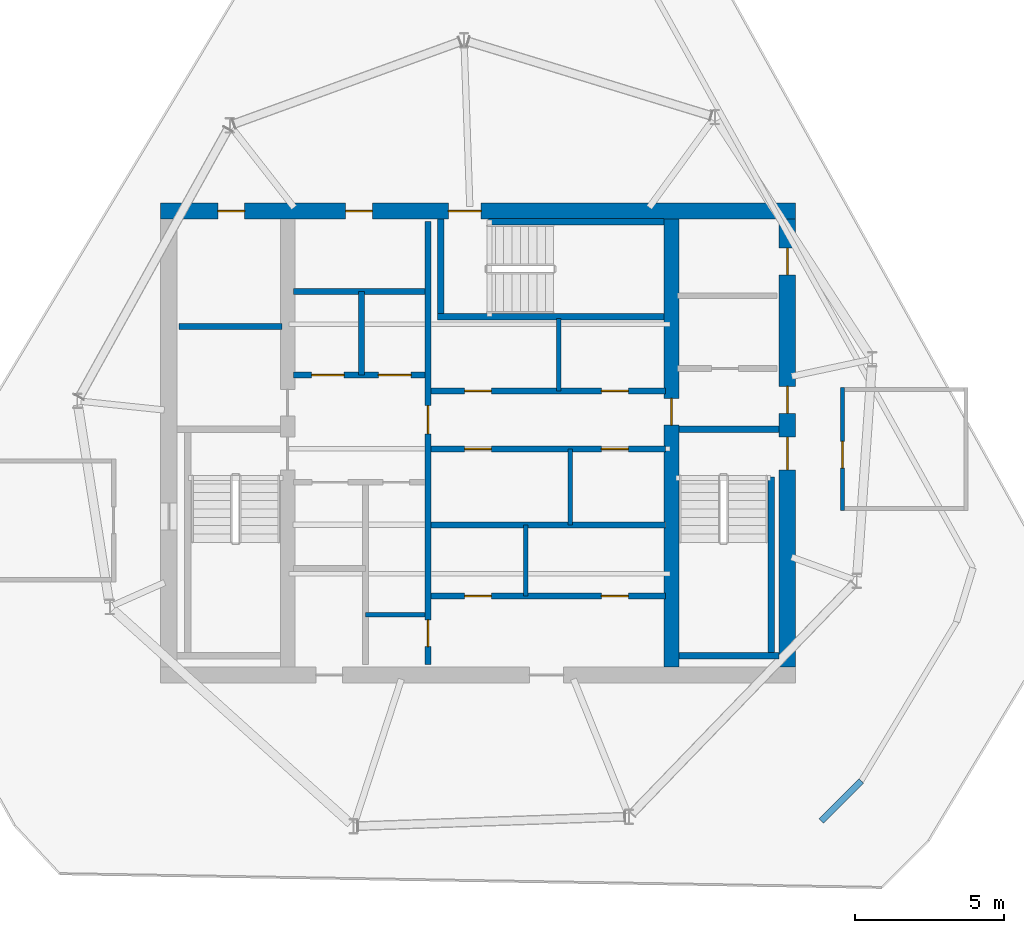
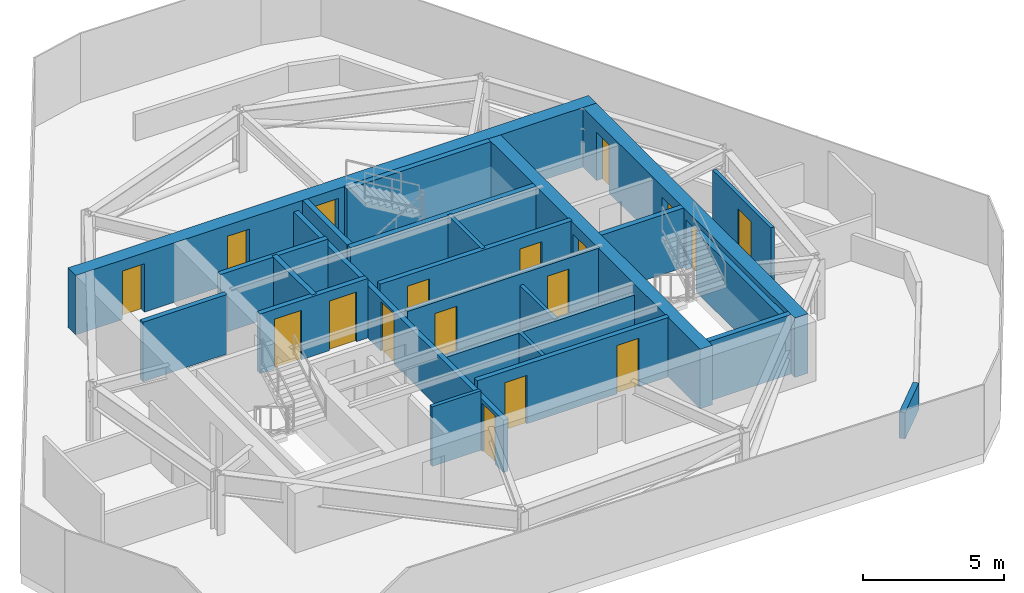
# One storey, part 4 of 6: 24 walls, 18 doors, 18 openings.
"""IFC4 building model written with IfcOpenShell, lengths in metres."""

import ifcopenshell
import ifcopenshell.guid

model = None  # the IFC model being written
_history = None  # IfcOwnerHistory: only IFC2X3 demands one
_inside = {}  # id of a spatial element -> (the spatial element, [elements in it])
_under = {}  # id of a project, library or spatial element -> (it, [spatial elements below it])
_declared = {}  # id of a project -> (the project, [libraries it declares])
_typed = {}  # id of a type object -> (the type object, [elements of that type])
_made_of = {}  # id of a material, layer set ... -> (it, [elements and type objects made of it])


def new_model(schema):
    """Start an empty IFC model of exactly this schema.

    Asked for "IFC4X3", IfcOpenShell would pick the latest addendum, in which some entities
    have other attributes; the version numbers below select the first issue.
    IFC2X3 requires an IfcOwnerHistory on every rooted entity: one is made here for all.
    """
    global model, _history
    if schema == "IFC4X3":
        model = ifcopenshell.file(schema_version=(4, 3, 0, 0))
    else:
        model = ifcopenshell.file(schema=schema)
    _inside.clear()
    _under.clear()
    _declared.clear()
    _typed.clear()
    _made_of.clear()
    _history = None
    if model.schema == "IFC2X3":
        org = make("IfcOrganization", Name="unknown")
        user = make(
            "IfcPersonAndOrganization",
            ThePerson=make("IfcPerson", FamilyName="unknown"),
            TheOrganization=org,
        )
        app = make(
            "IfcApplication",
            ApplicationDeveloper=org,
            Version="unknown",
            ApplicationFullName="unknown",
            ApplicationIdentifier="unknown",
        )
        _history = make(
            "IfcOwnerHistory",
            OwningUser=user,
            OwningApplication=app,
            ChangeAction="ADDED",
            CreationDate=0,
        )
    return model


def make(cls, **values):
    """One entity of the class cls with the attributes given. An attribute that is None is left unset."""
    return model.create_entity(
        cls, **{name: value for name, value in values.items() if value is not None}
    )


def rooted(cls, **values):
    """An entity with a GlobalId (a new one), such as an element, a storey or a relation."""
    return make(cls, GlobalId=ifcopenshell.guid.new(), OwnerHistory=_history, **values)


def si_unit(unit_type, name, prefix=None):
    """IfcSIUnit, for example si_unit("LENGTHUNIT", "METRE", prefix="MILLI")."""
    return make("IfcSIUnit", UnitType=unit_type, Prefix=prefix, Name=name)


def assignment(units):
    """IfcUnitAssignment: the units of a project."""
    return None if units is None else make("IfcUnitAssignment", Units=units)


def point(xyz):
    """IfcCartesianPoint."""
    return None if xyz is None else make("IfcCartesianPoint", Coordinates=xyz)


def direction(xyz):
    """IfcDirection."""
    return None if xyz is None else make("IfcDirection", DirectionRatios=xyz)


def frame(location, z_axis=None, x_axis=None):
    """IfcAxis2Placement3D, a coordinate frame: its origin and axes. An axis left out is left unset."""
    return make(
        "IfcAxis2Placement3D",
        Location=point(location),
        Axis=direction(z_axis),
        RefDirection=direction(x_axis),
    )


def frame_2d(location, x_axis=None):
    """IfcAxis2Placement2D, a coordinate frame in the plane: its origin and x axis."""
    return make(
        "IfcAxis2Placement2D", Location=point(location), RefDirection=direction(x_axis)
    )


def origin():
    """The frame at (0, 0, 0) with its axes left unset."""
    return frame((0.0, 0.0, 0.0))


def place(relative_to, where):
    """IfcLocalPlacement: puts the frame where relative to a parent placement (None: the world)."""
    return make(
        "IfcLocalPlacement", PlacementRelTo=relative_to, RelativePlacement=where
    )


def context(
    kind, dimensions, precision=None, world=None, true_north=None, identifier=None
):
    """IfcGeometricRepresentationContext, for example the 3D "Model" context."""
    return make(
        "IfcGeometricRepresentationContext",
        ContextIdentifier=identifier,
        ContextType=kind,
        CoordinateSpaceDimension=dimensions,
        Precision=precision,
        WorldCoordinateSystem=world,
        TrueNorth=true_north,
    )


def subcontext(parent, identifier, kind, view, scale=None):
    """IfcGeometricRepresentationSubContext, for example "Body" below "Model"."""
    return make(
        "IfcGeometricRepresentationSubContext",
        ContextIdentifier=identifier,
        ContextType=kind,
        ParentContext=parent,
        TargetScale=scale,
        TargetView=view,
    )


def project(units=None, contexts=None):
    """IfcProject with its units and contexts."""
    return rooted(
        "IfcProject",
        Name="project",
        RepresentationContexts=contexts,
        UnitsInContext=assignment(units),
    )


def spatial(cls, under=None, at=None, **own):
    """A site, building, storey or space (cls), placed at a placement, below another one or the project."""
    s = rooted(cls, ObjectPlacement=at, **own)
    if under is not None:
        _under.setdefault(under.id(), (under, []))[1].append(s)
    return s


def profile(cls, at=None, kind="AREA", **sizes):
    """A parametric profile (cls). Its sizes go by their IFC names, for example OverallWidth=200.0."""
    return make(cls, ProfileType=kind, Position=at, **sizes)


def rectangle(**sizes):
    """IfcRectangleProfileDef."""
    return profile("IfcRectangleProfileDef", **sizes)


def extrude(swept, where, along, depth):
    """IfcExtrudedAreaSolid: the profile swept, set in the frame where, extruded along a direction by depth."""
    return make(
        "IfcExtrudedAreaSolid",
        SweptArea=swept,
        Position=where,
        ExtrudedDirection=direction(along),
        Depth=depth,
    )


def shape(context_of_items, identifier, shape_type, items):
    """IfcShapeRepresentation: the items that make up one representation, for example the "Body"."""
    return make(
        "IfcShapeRepresentation",
        ContextOfItems=context_of_items,
        RepresentationIdentifier=identifier,
        RepresentationType=shape_type,
        Items=items,
    )


def material(Name=None, Category=None):
    """IfcMaterial."""
    return make("IfcMaterial", Name=Name, Category=Category)


def layer(
    of_material, thickness, ventilated=None, Name=None, Category=None, Priority=None
):
    """IfcMaterialLayer: one layer of a wall or slab, of a material (None: an air gap)."""
    return make(
        "IfcMaterialLayer",
        Material=of_material,
        LayerThickness=thickness,
        IsVentilated=ventilated,
        Name=Name,
        Category=Category,
        Priority=Priority,
    )


def layer_set(layers, Name=None):
    """IfcMaterialLayerSet."""
    return make("IfcMaterialLayerSet", MaterialLayers=layers, LayerSetName=Name)


def made_of(thing, what):
    """Note that an element or type object is made of a material, layer set ...; save() writes the relation."""
    if what is not None:
        _made_of.setdefault(what.id(), (what, []))[1].append(thing)
    return thing


def type_object(cls, material=None, **own):
    """A type object (cls), such as IfcWallType, which elements share."""
    return made_of(rooted(cls, **own), material)


def element(
    cls,
    number,
    at=None,
    inside=None,
    cuts=None,
    type_object=None,
    material=None,
    context=None,
    identifier="Body",
    shape_type=None,
    held_by="IfcProductDefinitionShape",
    body=None,
    shapes=None,
    **own,
):
    """One element of the class cls, such as IfcWall. Its Tag is "e" and its number.

    at: its placement. inside: the storey or other place that contains it. cuts: it is an
    opening in that element (IfcRelVoidsElement). A single representation is given by context,
    identifier, shape_type and body (its items); several are given by shapes. held_by: the class
    of the entity that holds the representations. save() writes the other relations.
    """
    e = rooted(cls, Tag="e%d" % number, ObjectPlacement=at, **own)
    if body is not None:
        shapes = [shape(context, identifier, shape_type, body)]
    if shapes is not None:
        e.Representation = make(held_by, Representations=shapes)
    if inside is not None:
        _inside.setdefault(inside.id(), (inside, []))[1].append(e)
    if cuts is not None:
        rooted(
            "IfcRelVoidsElement", RelatingBuildingElement=cuts, RelatedOpeningElement=e
        )
    if type_object is not None:
        _typed.setdefault(type_object.id(), (type_object, []))[1].append(e)
    return made_of(e, material)


def fill(opening, filler):
    """IfcRelFillsElement: the door or window that sits in an opening."""
    return rooted(
        "IfcRelFillsElement",
        RelatingOpeningElement=opening,
        RelatedBuildingElement=filler,
    )


def aggregate(whole, parts):
    """IfcRelAggregates: a whole, such as a stair, and the parts it consists of."""
    return rooted("IfcRelAggregates", RelatingObject=whole, RelatedObjects=parts)


def save(model, path):
    """Write the relations noted so far, then the file.

    IfcRelAggregates (storeys below a building ...), IfcRelContainedInSpatialStructure (elements
    in a storey), IfcRelDefinesByType, IfcRelAssociatesMaterial and IfcRelDeclares: one each for
    every whole, place, type object, material and project.
    """
    for whole, parts in _under.values():
        aggregate(whole, parts)
    for where, things in _inside.values():
        rooted(
            "IfcRelContainedInSpatialStructure",
            RelatedElements=things,
            RelatingStructure=where,
        )
    for kind, things in _typed.values():
        rooted("IfcRelDefinesByType", RelatedObjects=things, RelatingType=kind)
    for what, things in _made_of.values():
        rooted("IfcRelAssociatesMaterial", RelatedObjects=things, RelatingMaterial=what)
    for by, libraries in _declared.values():
        rooted("IfcRelDeclares", RelatingContext=by, RelatedDefinitions=libraries)
    model.write(path)


model = new_model("IFC4")

# Units and contexts
model_context = context("Model", 3, precision=1e-05, world=origin(), true_north=direction((0.0, 1.0)))
body_context = subcontext(model_context, "Body", "Model", "MODEL_VIEW")
ifc_project = project(units=[si_unit("LENGTHUNIT", "METRE"), si_unit("AREAUNIT", "SQUARE_METRE"), si_unit("VOLUMEUNIT", "CUBIC_METRE"), si_unit("PLANEANGLEUNIT", "RADIAN"), si_unit("MASSUNIT", "GRAM", prefix="KILO")], contexts=[model_context])

# Site, building, storey
site_placement = place(None, origin())
site = spatial("IfcSite", under=ifc_project, at=site_placement, CompositionType="ELEMENT")
building_placement = place(site_placement, origin())
building = spatial("IfcBuilding", under=site, at=building_placement, Name="Qarnah Convention Tower", CompositionType="ELEMENT")
storey_placement = place(building_placement, frame((0.0, 0.0, 289.89990234375)))
storey = spatial("IfcBuildingStorey", under=building, at=storey_placement, Name="L78", CompositionType="ELEMENT", Elevation=289.89990234375)

# Wall, openings, doors
ifc_material_1 = material(Name="Concrete C60/75", Category="concrete")
ifc_layer_1 = layer(ifc_material_1, 0.550048828125)
ifc_layer_set_1 = layer_set([ifc_layer_1], Name="Concrete C60/75")
wall_type_1 = type_object("IfcWallType", Name="WL-CORE-550", PredefinedType="SHEAR", material=ifc_layer_set_1)
wall_1_placement = place(storey_placement, frame((26.52490234375, 34.199951171875, 0.0), z_axis=(0.0, 0.0, 1.0), x_axis=(1.0, 0.0, 0.0)))
wall_1 = element("IfcWall", 1, at=wall_1_placement, inside=storey, type_object=wall_type_1, Name="L78 core north shear wall", PredefinedType="SHEAR", context=body_context, shape_type="SweptSolid", body=[
    extrude(rectangle(XDim=21.35009765625, YDim=0.550048828125, at=frame_2d((10.675048828125, 0.0))), origin(), (0.0, 0.0, 1.0), 2.580078125),
])
opening_1_placement = place(wall_1_placement, frame((9.675048828125, 0.0, 0.0)))
opening_1 = element("IfcOpeningElement", 2, at=opening_1_placement, cuts=wall_1, Name="Opening D-7803", PredefinedType="OPENING", context=body_context, shape_type="SweptSolid", body=[
    extrude(rectangle(XDim=1.10009765625, YDim=2.14990234375, at=frame_2d((0.550048828125, 1.074951171875))), frame((0.0, 0.284912109375, 0.0), z_axis=(0.0, -1.0, 0.0), x_axis=(1.0, 0.0, 0.0)), (0.0, 0.0, 1.0), 0.570068359375),
])
opening_2_placement = place(wall_1_placement, frame((1.925048828125, 0.0, 0.0)))
opening_2 = element("IfcOpeningElement", 3, at=opening_2_placement, cuts=wall_1, Name="Opening D-7809", PredefinedType="OPENING", context=body_context, shape_type="SweptSolid", body=[
    extrude(rectangle(XDim=0.89990234375, YDim=2.10009765625, at=frame_2d((0.449951171875, 1.050048828125))), frame((0.0, 0.284912109375, 0.0), z_axis=(0.0, -1.0, 0.0), x_axis=(1.0, 0.0, 0.0)), (0.0, 0.0, 1.0), 0.570068359375),
])
opening_3_placement = place(wall_1_placement, frame((6.22509765625, 0.0, 0.0)))
opening_3 = element("IfcOpeningElement", 4, at=opening_3_placement, cuts=wall_1, Name="Opening D-7810", PredefinedType="OPENING", context=body_context, shape_type="SweptSolid", body=[
    extrude(rectangle(XDim=0.89990234375, YDim=2.10009765625, at=frame_2d((0.449951171875, 1.050048828125))), frame((0.0, 0.284912109375, 0.0), z_axis=(0.0, -1.0, 0.0), x_axis=(1.0, 0.0, 0.0)), (0.0, 0.0, 1.0), 0.570068359375),
])
ifc_material_2 = material(Name="Structural steel S355JR", Category="steel")
door_type_1 = type_object("IfcDoorType", Name="DT-RISER-900", OperationType="NOTDEFINED", PredefinedType="DOOR", material=ifc_material_2)
door_1_placement = place(opening_2_placement, origin())
door_1 = element("IfcDoor", 5, at=door_1_placement, inside=storey, type_object=door_type_1, Name="Door D-7809", OperationType="SINGLE_SWING_RIGHT", OverallHeight=2.10009765625, OverallWidth=0.89990234375, PredefinedType="DOOR", context=body_context, shape_type="SweptSolid", body=[
    extrude(rectangle(XDim=0.89990234375, YDim=2.10009765625, at=frame_2d((0.449951171875, 1.050048828125))), frame((0.0, 0.02490234375, 0.0), z_axis=(0.0, -1.0, 0.0), x_axis=(1.0, 0.0, 0.0)), (0.0, 0.0, 1.0), 0.050048828125),
])
fill(opening_2, door_1)
door_2_placement = place(opening_3_placement, origin())
door_2 = element("IfcDoor", 6, at=door_2_placement, inside=storey, type_object=door_type_1, Name="Door D-7810", OperationType="SINGLE_SWING_LEFT", OverallHeight=2.10009765625, OverallWidth=0.89990234375, PredefinedType="DOOR", context=body_context, shape_type="SweptSolid", body=[
    extrude(rectangle(XDim=0.89990234375, YDim=2.10009765625, at=frame_2d((0.449951171875, 1.050048828125))), frame((0.0, 0.02490234375, 0.0), z_axis=(0.0, -1.0, 0.0), x_axis=(1.0, 0.0, 0.0)), (0.0, 0.0, 1.0), 0.050048828125),
])
fill(opening_3, door_2)
door_type_2 = type_object("IfcDoorType", Name="DT-STAIR-1100", OperationType="NOTDEFINED", PredefinedType="DOOR", material=ifc_material_2)
door_3_placement = place(opening_1_placement, origin())
door_3 = element("IfcDoor", 7, at=door_3_placement, inside=storey, type_object=door_type_2, Name="Door D-7803", OperationType="SINGLE_SWING_RIGHT", OverallHeight=2.14990234375, OverallWidth=1.10009765625, PredefinedType="DOOR", context=body_context, shape_type="SweptSolid", body=[
    extrude(rectangle(XDim=1.10009765625, YDim=2.14990234375, at=frame_2d((0.550048828125, 1.074951171875))), frame((0.0, 0.02490234375, 0.0), z_axis=(0.0, -1.0, 0.0), x_axis=(1.0, 0.0, 0.0)), (0.0, 0.0, 1.0), 0.050048828125),
])
fill(opening_1, door_3)

wall_2_placement = place(storey_placement, frame((47.60009765625, 18.875, 0.0), z_axis=(0.0, 0.0, 1.0), x_axis=(0.0, 1.0, 0.0)))
wall_2 = element("IfcWall", 8, at=wall_2_placement, inside=storey, type_object=wall_type_1, Name="L78 core east shear wall", PredefinedType="SHEAR", context=body_context, shape_type="SweptSolid", body=[
    extrude(rectangle(XDim=15.050048828125, YDim=0.550048828125, at=frame_2d((7.52490234375, 0.0))), origin(), (0.0, 0.0, 1.0), 2.580078125),
])
opening_4_placement = place(wall_2_placement, frame((6.625, 0.0, 0.0)))
opening_4 = element("IfcOpeningElement", 9, at=opening_4_placement, cuts=wall_2, Name="Opening D-7802", PredefinedType="OPENING", context=body_context, shape_type="SweptSolid", body=[
    extrude(rectangle(XDim=1.10009765625, YDim=2.14990234375, at=frame_2d((0.550048828125, 1.074951171875))), frame((0.0, 0.284912109375, 0.0), z_axis=(0.0, -1.0, 0.0), x_axis=(1.0, 0.0, 0.0)), (0.0, 0.0, 1.0), 0.570068359375),
])
opening_5_placement = place(wall_2_placement, frame((8.52490234375, 0.0, 0.0)))
opening_5 = element("IfcOpeningElement", 10, at=opening_5_placement, cuts=wall_2, Name="Opening D-7806", PredefinedType="OPENING", context=body_context, shape_type="SweptSolid", body=[
    extrude(rectangle(XDim=0.89990234375, YDim=2.10009765625, at=frame_2d((0.449951171875, 1.050048828125))), frame((0.0, 0.284912109375, 0.0), z_axis=(0.0, -1.0, 0.0), x_axis=(1.0, 0.0, 0.0)), (0.0, 0.0, 1.0), 0.570068359375),
])
opening_6_placement = place(wall_2_placement, frame((13.175048828125, 0.0, 0.0)))
opening_6 = element("IfcOpeningElement", 11, at=opening_6_placement, cuts=wall_2, Name="Opening D-7812", PredefinedType="OPENING", context=body_context, shape_type="SweptSolid", body=[
    extrude(rectangle(XDim=0.89990234375, YDim=2.10009765625, at=frame_2d((0.449951171875, 1.050048828125))), frame((0.0, 0.284912109375, 0.0), z_axis=(0.0, -1.0, 0.0), x_axis=(1.0, 0.0, 0.0)), (0.0, 0.0, 1.0), 0.570068359375),
])
door_4_placement = place(opening_5_placement, origin())
door_4 = element("IfcDoor", 12, at=door_4_placement, inside=storey, type_object=door_type_1, Name="Door D-7806", OperationType="SINGLE_SWING_LEFT", OverallHeight=2.10009765625, OverallWidth=0.89990234375, PredefinedType="DOOR", context=body_context, shape_type="SweptSolid", body=[
    extrude(rectangle(XDim=0.89990234375, YDim=2.10009765625, at=frame_2d((0.449951171875, 1.050048828125))), frame((0.0, 0.02490234375, 0.0), z_axis=(0.0, -1.0, 0.0), x_axis=(1.0, 0.0, 0.0)), (0.0, 0.0, 1.0), 0.050048828125),
])
fill(opening_5, door_4)
door_5_placement = place(opening_6_placement, origin())
door_5 = element("IfcDoor", 13, at=door_5_placement, inside=storey, type_object=door_type_1, Name="Door D-7812", OperationType="SINGLE_SWING_LEFT", OverallHeight=2.10009765625, OverallWidth=0.89990234375, PredefinedType="DOOR", context=body_context, shape_type="SweptSolid", body=[
    extrude(rectangle(XDim=0.89990234375, YDim=2.10009765625, at=frame_2d((0.449951171875, 1.050048828125))), frame((0.0, 0.02490234375, 0.0), z_axis=(0.0, -1.0, 0.0), x_axis=(1.0, 0.0, 0.0)), (0.0, 0.0, 1.0), 0.050048828125),
])
fill(opening_6, door_5)
door_6_placement = place(opening_4_placement, origin())
door_6 = element("IfcDoor", 14, at=door_6_placement, inside=storey, type_object=door_type_2, Name="Door D-7802", OperationType="SINGLE_SWING_LEFT", OverallHeight=2.14990234375, OverallWidth=1.10009765625, PredefinedType="DOOR", context=body_context, shape_type="SweptSolid", body=[
    extrude(rectangle(XDim=1.10009765625, YDim=2.14990234375, at=frame_2d((0.550048828125, 1.074951171875))), frame((0.0, 0.02490234375, 0.0), z_axis=(0.0, -1.0, 0.0), x_axis=(1.0, 0.0, 0.0)), (0.0, 0.0, 1.0), 0.050048828125),
])
fill(opening_4, door_6)

# Wall, opening, door
ifc_layer_2 = layer(ifc_material_1, 0.5)
ifc_layer_set_2 = layer_set([ifc_layer_2], Name="Concrete C60/75")
wall_type_2 = type_object("IfcWallType", Name="WL-CORE-INT-400", PredefinedType="SHEAR", material=ifc_layer_set_2)
wall_3_placement = place(storey_placement, frame((43.699951171875, 18.875, 0.0), z_axis=(0.0, 0.0, 1.0), x_axis=(0.0, 1.0, 0.0)))
wall_3 = element("IfcWall", 15, at=wall_3_placement, inside=storey, type_object=wall_type_2, Name="L78 core east spine shear wall", PredefinedType="SHEAR", context=body_context, shape_type="SweptSolid", body=[
    extrude(rectangle(XDim=15.050048828125, YDim=0.5, at=frame_2d((7.52490234375, 0.0))), origin(), (0.0, 0.0, 1.0), 2.580078125),
])
opening_7_placement = place(wall_3_placement, frame((8.125, 0.0, 0.0)))
opening_7 = element("IfcOpeningElement", 16, at=opening_7_placement, cuts=wall_3, Name="Opening D-7805", PredefinedType="OPENING", context=body_context, shape_type="SweptSolid", body=[
    extrude(rectangle(XDim=0.89990234375, YDim=2.10009765625, at=frame_2d((0.449951171875, 1.050048828125))), frame((0.0, 0.260009765625, 0.0), z_axis=(0.0, -1.0, 0.0), x_axis=(1.0, 0.0, 0.0)), (0.0, 0.0, 1.0), 0.52001953125),
])
door_7_placement = place(opening_7_placement, origin())
door_7 = element("IfcDoor", 17, at=door_7_placement, inside=storey, type_object=door_type_1, Name="Door D-7805", OperationType="SINGLE_SWING_RIGHT", OverallHeight=2.10009765625, OverallWidth=0.89990234375, PredefinedType="DOOR", context=body_context, shape_type="SweptSolid", body=[
    extrude(rectangle(XDim=0.89990234375, YDim=2.10009765625, at=frame_2d((0.449951171875, 1.050048828125))), frame((0.0, 0.02490234375, 0.0), z_axis=(0.0, -1.0, 0.0), x_axis=(1.0, 0.0, 0.0)), (0.0, 0.0, 1.0), 0.050048828125),
])
fill(opening_7, door_7)

# Wall
ifc_material_3 = material(Name="Concrete C45/55", Category="concrete")
ifc_layer_3 = layer(ifc_material_3, 0.199951171875)
ifc_layer_set_3 = layer_set([ifc_layer_3], Name="Concrete C45/55")
wall_type_3 = type_object("IfcWallType", Name="WL-CORE-PART-200", PredefinedType="SOLIDWALL", material=ifc_layer_set_3)
wall_4_placement = place(storey_placement, frame((27.14990234375, 30.320068359375, 0.0), z_axis=(0.0, 0.0, 1.0), x_axis=(1.0, 0.0, 0.0)))
element("IfcWall", 18, at=wall_4_placement, inside=storey, type_object=wall_type_3, Name="L78 interior wall IW-L78-ELRN", PredefinedType="SOLIDWALL", context=body_context, shape_type="SweptSolid", body=[
    extrude(rectangle(XDim=3.4501953125, YDim=0.199951171875, at=frame_2d((1.72509765625, 0.0))), origin(), (0.0, 0.0, 1.0), 2.580078125),
])

# Wall, openings, doors
wall_5_placement = place(storey_placement, frame((35.52001953125, 18.949951171875, 0.0), z_axis=(0.0, 0.0, 1.0), x_axis=(0.0, 1.0, 0.0)))
wall_5 = element("IfcWall", 19, at=wall_5_placement, inside=storey, type_object=wall_type_3, Name="L78 interior wall IW-L78-CSP", PredefinedType="SOLIDWALL", context=body_context, shape_type="SweptSolid", body=[
    extrude(rectangle(XDim=14.900146484375, YDim=0.199951171875, at=frame_2d((7.4501953125, 0.0))), origin(), (0.0, 0.0, 1.0), 2.27001953125),
])
opening_8_placement = place(wall_5_placement, frame((7.7548828125, 0.0, 0.0)))
opening_8 = element("IfcOpeningElement", 20, at=opening_8_placement, cuts=wall_5, Name="Opening D-7804", PredefinedType="OPENING", context=body_context, shape_type="SweptSolid", body=[
    extrude(rectangle(XDim=0.949951171875, YDim=2.14990234375, at=frame_2d((0.47509765625, 1.074951171875))), frame((0.0, 0.10986328125, 0.0), z_axis=(0.0, -1.0, 0.0), x_axis=(1.0, 0.0, 0.0)), (0.0, 0.0, 1.0), 0.219970703125),
])
opening_9_placement = place(wall_5_placement, frame((0.60009765625, 0.0, 0.0)))
opening_9 = element("IfcOpeningElement", 21, at=opening_9_placement, cuts=wall_5, Name="Opening D-7814", PredefinedType="OPENING", context=body_context, shape_type="SweptSolid", body=[
    extrude(rectangle(XDim=0.89990234375, YDim=2.10009765625, at=frame_2d((0.449951171875, 1.050048828125))), frame((0.0, 0.10986328125, 0.0), z_axis=(0.0, -1.0, 0.0), x_axis=(1.0, 0.0, 0.0)), (0.0, 0.0, 1.0), 0.219970703125),
])
ifc_material_4 = material(Name="Oak timber veneer", Category="wood")
door_type_3 = type_object("IfcDoorType", Name="DT-HOTEL-950", OperationType="NOTDEFINED", PredefinedType="DOOR", material=ifc_material_4)
door_8_placement = place(opening_8_placement, origin())
door_8 = element("IfcDoor", 22, at=door_8_placement, inside=storey, type_object=door_type_3, Name="Door D-7804", OperationType="SINGLE_SWING_LEFT", OverallHeight=2.14990234375, OverallWidth=0.949951171875, PredefinedType="DOOR", context=body_context, shape_type="SweptSolid", body=[
    extrude(rectangle(XDim=0.949951171875, YDim=2.14990234375, at=frame_2d((0.47509765625, 1.074951171875))), frame((0.0, 0.02490234375, 0.0), z_axis=(0.0, -1.0, 0.0), x_axis=(1.0, 0.0, 0.0)), (0.0, 0.0, 1.0), 0.050048828125),
])
fill(opening_8, door_8)
door_9_placement = place(opening_9_placement, origin())
door_9 = element("IfcDoor", 23, at=door_9_placement, inside=storey, type_object=door_type_1, Name="Door D-7814", OperationType="SINGLE_SWING_LEFT", OverallHeight=2.10009765625, OverallWidth=0.89990234375, PredefinedType="DOOR", context=body_context, shape_type="SweptSolid", body=[
    extrude(rectangle(XDim=0.89990234375, YDim=2.10009765625, at=frame_2d((0.449951171875, 1.050048828125))), frame((0.0, 0.02490234375, 0.0), z_axis=(0.0, -1.0, 0.0), x_axis=(1.0, 0.0, 0.0)), (0.0, 0.0, 1.0), 0.050048828125),
])
fill(opening_9, door_9)

wall_6_placement = place(storey_placement, frame((31.0, 28.679931640625, 0.0), z_axis=(0.0, 0.0, 1.0), x_axis=(1.0, 0.0, 0.0)))
wall_6 = element("IfcWall", 24, at=wall_6_placement, inside=storey, type_object=wall_type_3, Name="L78 interior wall IW-L78-FFLS", PredefinedType="SOLIDWALL", context=body_context, shape_type="SweptSolid", body=[
    extrude(rectangle(XDim=4.419921875, YDim=0.199951171875, at=frame_2d((2.2099609375, 0.0))), origin(), (0.0, 0.0, 1.0), 2.580078125),
])
opening_10_placement = place(wall_6_placement, frame((0.60009765625, 0.0, 0.0)))
opening_10 = element("IfcOpeningElement", 25, at=opening_10_placement, cuts=wall_6, Name="Opening LD-7801", PredefinedType="OPENING", context=body_context, shape_type="SweptSolid", body=[
    extrude(rectangle(XDim=1.10009765625, YDim=2.14990234375, at=frame_2d((0.550048828125, 1.074951171875))), frame((0.0, 0.10986328125, 0.0), z_axis=(0.0, -1.0, 0.0), x_axis=(1.0, 0.0, 0.0)), (0.0, 0.0, 1.0), 0.219970703125),
])
opening_11_placement = place(wall_6_placement, frame((2.85009765625, 0.0, 0.0)))
opening_11 = element("IfcOpeningElement", 26, at=opening_11_placement, cuts=wall_6, Name="Opening LD-7802", PredefinedType="OPENING", context=body_context, shape_type="SweptSolid", body=[
    extrude(rectangle(XDim=1.10009765625, YDim=2.14990234375, at=frame_2d((0.550048828125, 1.074951171875))), frame((0.0, 0.10986328125, 0.0), z_axis=(0.0, -1.0, 0.0), x_axis=(1.0, 0.0, 0.0)), (0.0, 0.0, 1.0), 0.219970703125),
])
door_type_4 = type_object("IfcDoorType", Name="DT-LIFT-1100", OperationType="SLIDING_TO_LEFT", PredefinedType="DOOR", material=ifc_material_2)
door_10_placement = place(opening_10_placement, origin())
door_10 = element("IfcDoor", 27, at=door_10_placement, inside=storey, type_object=door_type_4, Name="Door LD-7801", OperationType="SLIDING_TO_LEFT", OverallHeight=2.14990234375, OverallWidth=1.10009765625, PredefinedType="DOOR", context=body_context, shape_type="SweptSolid", body=[
    extrude(rectangle(XDim=1.10009765625, YDim=2.14990234375, at=frame_2d((0.550048828125, 1.074951171875))), frame((0.0, 0.02490234375, 0.0), z_axis=(0.0, -1.0, 0.0), x_axis=(1.0, 0.0, 0.0)), (0.0, 0.0, 1.0), 0.050048828125),
])
fill(opening_10, door_10)
door_11_placement = place(opening_11_placement, origin())
door_11 = element("IfcDoor", 28, at=door_11_placement, inside=storey, type_object=door_type_4, Name="Door LD-7802", OperationType="SLIDING_TO_LEFT", OverallHeight=2.14990234375, OverallWidth=1.10009765625, PredefinedType="DOOR", context=body_context, shape_type="SweptSolid", body=[
    extrude(rectangle(XDim=1.10009765625, YDim=2.14990234375, at=frame_2d((0.550048828125, 1.074951171875))), frame((0.0, 0.02490234375, 0.0), z_axis=(0.0, -1.0, 0.0), x_axis=(1.0, 0.0, 0.0)), (0.0, 0.0, 1.0), 0.050048828125),
])
fill(opening_11, door_11)

# Walls
wall_7_placement = place(storey_placement, frame((31.0, 31.5, 0.0), z_axis=(0.0, 0.0, 1.0), x_axis=(1.0, 0.0, 0.0)))
element("IfcWall", 29, at=wall_7_placement, inside=storey, type_object=wall_type_3, Name="L78 interior wall IW-L78-FFLN", PredefinedType="SOLIDWALL", context=body_context, shape_type="SweptSolid", body=[
    extrude(rectangle(XDim=4.419921875, YDim=0.199951171875, at=frame_2d((2.2099609375, 0.0))), origin(), (0.0, 0.0, 1.0), 2.580078125),
])
wall_8_placement = place(storey_placement, frame((33.280029296875, 28.679931640625, 0.0), z_axis=(0.0, 0.0, 1.0), x_axis=(0.0, 1.0, 0.0)))
element("IfcWall", 30, at=wall_8_placement, inside=storey, type_object=wall_type_3, Name="L78 interior wall IW-L78-FFLM", PredefinedType="SOLIDWALL", context=body_context, shape_type="SweptSolid", body=[
    extrude(rectangle(XDim=2.820068359375, YDim=0.199951171875, at=frame_2d((1.41015625, 0.0))), origin(), (0.0, 0.0, 1.0), 2.580078125),
])

# Wall, openings, doors
wall_9_placement = place(storey_placement, frame((35.6201171875, 28.14990234375, 0.0), z_axis=(0.0, 0.0, 1.0), x_axis=(1.0, 0.0, 0.0)))
wall_9 = element("IfcWall", 31, at=wall_9_placement, inside=storey, type_object=wall_type_3, Name="L78 interior wall IW-L78-PHS", PredefinedType="SOLIDWALL", context=body_context, shape_type="SweptSolid", body=[
    extrude(rectangle(XDim=7.8798828125, YDim=0.199951171875, at=frame_2d((3.93994140625, 0.0))), origin(), (0.0, 0.0, 1.0), 2.580078125),
])
opening_12_placement = place(wall_9_placement, frame((1.1298828125, 0.0, 0.0)))
opening_12 = element("IfcOpeningElement", 32, at=opening_12_placement, cuts=wall_9, Name="Opening D-7820", PredefinedType="OPENING", context=body_context, shape_type="SweptSolid", body=[
    extrude(rectangle(XDim=0.89990234375, YDim=2.10009765625, at=frame_2d((0.449951171875, 1.050048828125))), frame((0.0, 0.10986328125, 0.0), z_axis=(0.0, -1.0, 0.0), x_axis=(1.0, 0.0, 0.0)), (0.0, 0.0, 1.0), 0.219970703125),
])
opening_13_placement = place(wall_9_placement, frame((5.72998046875, 0.0, 0.0)))
opening_13 = element("IfcOpeningElement", 33, at=opening_13_placement, cuts=wall_9, Name="Opening D-7821", PredefinedType="OPENING", context=body_context, shape_type="SweptSolid", body=[
    extrude(rectangle(XDim=0.89990234375, YDim=2.10009765625, at=frame_2d((0.449951171875, 1.050048828125))), frame((0.0, 0.10986328125, 0.0), z_axis=(0.0, -1.0, 0.0), x_axis=(1.0, 0.0, 0.0)), (0.0, 0.0, 1.0), 0.219970703125),
])
door_12_placement = place(opening_12_placement, origin())
door_12 = element("IfcDoor", 34, at=door_12_placement, inside=storey, type_object=door_type_1, Name="Door D-7820", OperationType="SINGLE_SWING_LEFT", OverallHeight=2.10009765625, OverallWidth=0.89990234375, PredefinedType="DOOR", context=body_context, shape_type="SweptSolid", body=[
    extrude(rectangle(XDim=0.89990234375, YDim=2.10009765625, at=frame_2d((0.449951171875, 1.050048828125))), frame((0.0, 0.02490234375, 0.0), z_axis=(0.0, -1.0, 0.0), x_axis=(1.0, 0.0, 0.0)), (0.0, 0.0, 1.0), 0.050048828125),
])
fill(opening_12, door_12)
door_13_placement = place(opening_13_placement, origin())
door_13 = element("IfcDoor", 35, at=door_13_placement, inside=storey, type_object=door_type_1, Name="Door D-7821", OperationType="SINGLE_SWING_RIGHT", OverallHeight=2.10009765625, OverallWidth=0.89990234375, PredefinedType="DOOR", context=body_context, shape_type="SweptSolid", body=[
    extrude(rectangle(XDim=0.89990234375, YDim=2.10009765625, at=frame_2d((0.449951171875, 1.050048828125))), frame((0.0, 0.02490234375, 0.0), z_axis=(0.0, -1.0, 0.0), x_axis=(1.0, 0.0, 0.0)), (0.0, 0.0, 1.0), 0.050048828125),
])
fill(opening_13, door_13)

wall_10_placement = place(storey_placement, frame((35.6201171875, 26.199951171875, 0.0), z_axis=(0.0, 0.0, 1.0), x_axis=(1.0, 0.0, 0.0)))
wall_10 = element("IfcWall", 36, at=wall_10_placement, inside=storey, type_object=wall_type_3, Name="L78 interior wall IW-L78-PMN", PredefinedType="SOLIDWALL", context=body_context, shape_type="SweptSolid", body=[
    extrude(rectangle(XDim=7.8798828125, YDim=0.199951171875, at=frame_2d((3.93994140625, 0.0))), origin(), (0.0, 0.0, 1.0), 2.580078125),
])
opening_14_placement = place(wall_10_placement, frame((1.1298828125, 0.0, 0.0)))
opening_14 = element("IfcOpeningElement", 37, at=opening_14_placement, cuts=wall_10, Name="Opening D-7818", PredefinedType="OPENING", context=body_context, shape_type="SweptSolid", body=[
    extrude(rectangle(XDim=0.89990234375, YDim=2.10009765625, at=frame_2d((0.449951171875, 1.050048828125))), frame((0.0, 0.10986328125, 0.0), z_axis=(0.0, -1.0, 0.0), x_axis=(1.0, 0.0, 0.0)), (0.0, 0.0, 1.0), 0.219970703125),
])
opening_15_placement = place(wall_10_placement, frame((5.72998046875, 0.0, 0.0)))
opening_15 = element("IfcOpeningElement", 38, at=opening_15_placement, cuts=wall_10, Name="Opening D-7819", PredefinedType="OPENING", context=body_context, shape_type="SweptSolid", body=[
    extrude(rectangle(XDim=0.89990234375, YDim=2.10009765625, at=frame_2d((0.449951171875, 1.050048828125))), frame((0.0, 0.10986328125, 0.0), z_axis=(0.0, -1.0, 0.0), x_axis=(1.0, 0.0, 0.0)), (0.0, 0.0, 1.0), 0.219970703125),
])
door_14_placement = place(opening_14_placement, origin())
door_14 = element("IfcDoor", 39, at=door_14_placement, inside=storey, type_object=door_type_1, Name="Door D-7818", OperationType="SINGLE_SWING_LEFT", OverallHeight=2.10009765625, OverallWidth=0.89990234375, PredefinedType="DOOR", context=body_context, shape_type="SweptSolid", body=[
    extrude(rectangle(XDim=0.89990234375, YDim=2.10009765625, at=frame_2d((0.449951171875, 1.050048828125))), frame((0.0, 0.02490234375, 0.0), z_axis=(0.0, -1.0, 0.0), x_axis=(1.0, 0.0, 0.0)), (0.0, 0.0, 1.0), 0.050048828125),
])
fill(opening_14, door_14)
door_15_placement = place(opening_15_placement, origin())
door_15 = element("IfcDoor", 40, at=door_15_placement, inside=storey, type_object=door_type_1, Name="Door D-7819", OperationType="SINGLE_SWING_RIGHT", OverallHeight=2.10009765625, OverallWidth=0.89990234375, PredefinedType="DOOR", context=body_context, shape_type="SweptSolid", body=[
    extrude(rectangle(XDim=0.89990234375, YDim=2.10009765625, at=frame_2d((0.449951171875, 1.050048828125))), frame((0.0, 0.02490234375, 0.0), z_axis=(0.0, -1.0, 0.0), x_axis=(1.0, 0.0, 0.0)), (0.0, 0.0, 1.0), 0.050048828125),
])
fill(opening_15, door_15)

# Wall
wall_11_placement = place(storey_placement, frame((35.6201171875, 23.64990234375, 0.0), z_axis=(0.0, 0.0, 1.0), x_axis=(1.0, 0.0, 0.0)))
element("IfcWall", 41, at=wall_11_placement, inside=storey, type_object=wall_type_3, Name="L78 interior wall IW-L78-PMPL", PredefinedType="SOLIDWALL", context=body_context, shape_type="SweptSolid", body=[
    extrude(rectangle(XDim=7.8798828125, YDim=0.199951171875, at=frame_2d((3.93994140625, 0.0))), origin(), (0.0, 0.0, 1.0), 2.10107421875),
])

# Wall, openings, doors
wall_12_placement = place(storey_placement, frame((35.6201171875, 21.25, 0.0), z_axis=(0.0, 0.0, 1.0), x_axis=(1.0, 0.0, 0.0)))
wall_12 = element("IfcWall", 42, at=wall_12_placement, inside=storey, type_object=wall_type_3, Name="L78 interior wall IW-L78-PLS", PredefinedType="SOLIDWALL", context=body_context, shape_type="SweptSolid", body=[
    extrude(rectangle(XDim=7.8798828125, YDim=0.199951171875, at=frame_2d((3.93994140625, 0.0))), origin(), (0.0, 0.0, 1.0), 2.580078125),
])
opening_16_placement = place(wall_12_placement, frame((1.1298828125, 0.0, 0.0)))
opening_16 = element("IfcOpeningElement", 43, at=opening_16_placement, cuts=wall_12, Name="Opening D-7816", PredefinedType="OPENING", context=body_context, shape_type="SweptSolid", body=[
    extrude(rectangle(XDim=0.89990234375, YDim=2.10009765625, at=frame_2d((0.449951171875, 1.050048828125))), frame((0.0, 0.10986328125, 0.0), z_axis=(0.0, -1.0, 0.0), x_axis=(1.0, 0.0, 0.0)), (0.0, 0.0, 1.0), 0.219970703125),
])
opening_17_placement = place(wall_12_placement, frame((5.72998046875, 0.0, 0.0)))
opening_17 = element("IfcOpeningElement", 44, at=opening_17_placement, cuts=wall_12, Name="Opening D-7817", PredefinedType="OPENING", context=body_context, shape_type="SweptSolid", body=[
    extrude(rectangle(XDim=0.89990234375, YDim=2.10009765625, at=frame_2d((0.449951171875, 1.050048828125))), frame((0.0, 0.10986328125, 0.0), z_axis=(0.0, -1.0, 0.0), x_axis=(1.0, 0.0, 0.0)), (0.0, 0.0, 1.0), 0.219970703125),
])
door_16_placement = place(opening_16_placement, origin())
door_16 = element("IfcDoor", 45, at=door_16_placement, inside=storey, type_object=door_type_1, Name="Door D-7816", OperationType="SINGLE_SWING_LEFT", OverallHeight=2.10009765625, OverallWidth=0.89990234375, PredefinedType="DOOR", context=body_context, shape_type="SweptSolid", body=[
    extrude(rectangle(XDim=0.89990234375, YDim=2.10009765625, at=frame_2d((0.449951171875, 1.050048828125))), frame((0.0, 0.02490234375, 0.0), z_axis=(0.0, -1.0, 0.0), x_axis=(1.0, 0.0, 0.0)), (0.0, 0.0, 1.0), 0.050048828125),
])
fill(opening_16, door_16)
door_17_placement = place(opening_17_placement, origin())
door_17 = element("IfcDoor", 46, at=door_17_placement, inside=storey, type_object=door_type_1, Name="Door D-7817", OperationType="SINGLE_SWING_RIGHT", OverallHeight=2.10009765625, OverallWidth=0.89990234375, PredefinedType="DOOR", context=body_context, shape_type="SweptSolid", body=[
    extrude(rectangle(XDim=0.89990234375, YDim=2.10009765625, at=frame_2d((0.449951171875, 1.050048828125))), frame((0.0, 0.02490234375, 0.0), z_axis=(0.0, -1.0, 0.0), x_axis=(1.0, 0.0, 0.0)), (0.0, 0.0, 1.0), 0.050048828125),
])
fill(opening_17, door_17)

# Walls
ifc_layer_4 = layer(ifc_material_1, 0.219970703125)
ifc_layer_set_4 = layer_set([ifc_layer_4], Name="Concrete C60/75")
wall_type_4 = type_object("IfcWallType", Name="WL-CORE-STAIR-220", PredefinedType="SHEAR", material=ifc_layer_set_4)
wall_13_placement = place(storey_placement, frame((43.949951171875, 26.860107421875, 0.0), z_axis=(0.0, 0.0, 1.0), x_axis=(1.0, 0.0, 0.0)))
element("IfcWall", 47, at=wall_13_placement, inside=storey, type_object=wall_type_4, Name="L78 stair shaft shear wall SW-L78-ST2N", PredefinedType="SHEAR", context=body_context, shape_type="SweptSolid", body=[
    extrude(rectangle(XDim=3.375, YDim=0.219970703125, at=frame_2d((1.6875, 0.0))), origin(), (0.0, 0.0, 1.0), 2.580078125),
])
wall_14_placement = place(storey_placement, frame((47.06005859375, 19.35009765625, 0.0), z_axis=(0.0, 0.0, 1.0), x_axis=(0.0, 1.0, 0.0)))
element("IfcWall", 48, at=wall_14_placement, inside=storey, type_object=wall_type_4, Name="L78 stair shaft shear wall SW-L78-ST2E", PredefinedType="SHEAR", context=body_context, shape_type="SweptSolid", body=[
    extrude(rectangle(XDim=5.89990234375, YDim=0.219970703125, at=frame_2d((2.949951171875, 0.0))), origin(), (0.0, 0.0, 1.0), 2.580078125),
])
wall_15_placement = place(storey_placement, frame((43.949951171875, 19.239990234375, 0.0), z_axis=(0.0, 0.0, 1.0), x_axis=(1.0, 0.0, 0.0)))
element("IfcWall", 49, at=wall_15_placement, inside=storey, type_object=wall_type_4, Name="L78 stair shaft shear wall SW-L78-ST2S", PredefinedType="SHEAR", context=body_context, shape_type="SweptSolid", body=[
    extrude(rectangle(XDim=3.375, YDim=0.219970703125, at=frame_2d((1.6875, 0.0))), origin(), (0.0, 0.0, 1.0), 2.580078125),
])
wall_16_placement = place(storey_placement, frame((35.840087890625, 30.639892578125, 0.0), z_axis=(0.0, 0.0, 1.0), x_axis=(1.0, 0.0, 0.0)))
element("IfcWall", 50, at=wall_16_placement, inside=storey, type_object=wall_type_4, Name="L78 stair shaft shear wall SW-L78-ST3S", PredefinedType="SHEAR", context=body_context, shape_type="SweptSolid", body=[
    extrude(rectangle(XDim=7.60986328125, YDim=0.219970703125, at=frame_2d((3.804931640625, 0.0))), origin(), (0.0, 0.0, 1.0), 2.580078125),
])
wall_17_placement = place(storey_placement, frame((35.93994140625, 30.75, 0.0), z_axis=(0.0, 0.0, 1.0), x_axis=(0.0, 1.0, 0.0)))
element("IfcWall", 51, at=wall_17_placement, inside=storey, type_object=wall_type_4, Name="L78 stair shaft shear wall SW-L78-ST3W", PredefinedType="SHEAR", context=body_context, shape_type="SweptSolid", body=[
    extrude(rectangle(XDim=3.175048828125, YDim=0.219970703125, at=frame_2d((1.58740234375, 0.0))), origin(), (0.0, 0.0, 1.0), 2.580078125),
])
wall_18_placement = place(storey_placement, frame((37.550048828125, 33.840087890625, 0.0), z_axis=(0.0, 0.0, 1.0), x_axis=(1.0, 0.0, 0.0)))
element("IfcWall", 52, at=wall_18_placement, inside=storey, type_object=wall_type_4, Name="L78 stair shaft shear wall SW-L78-ST3N", PredefinedType="SHEAR", context=body_context, shape_type="SweptSolid", body=[
    extrude(rectangle(XDim=5.89990234375, YDim=0.219970703125, at=frame_2d((2.949951171875, 0.0))), origin(), (0.0, 0.0, 1.0), 2.580078125),
])
ifc_material_5 = material(Name="Precast concrete C45/55", Category="concrete")
ifc_layer_5 = layer(ifc_material_5, 0.219970703125)
ifc_layer_set_5 = layer_set([ifc_layer_5], Name="Precast concrete C45/55")
wall_type_5 = type_object("IfcWallType", Name="WL-PAR-220", PredefinedType="PARAPET", material=ifc_layer_set_5)
wall_19_placement = place(storey_placement, frame((50.0791015625, 15.033935546875, 0.0), z_axis=(0.0, 0.0, 1.0), x_axis=(-0.706333705952, -0.707879012146, 0.0)))
element("IfcWall", 53, at=wall_19_placement, inside=storey, type_object=wall_type_5, Name="L78 crown maintenance parapet 6", PredefinedType="PARAPET", context=body_context, shape_type="SweptSolid", body=[
    extrude(rectangle(XDim=1.895751953125, YDim=0.219970703125, at=frame_2d((0.94775390625, 0.0))), origin(), (0.0, 0.0, 1.0), 1.150146484375),
])
ifc_material_6 = material(Name="Gypsum partition board")
ifc_layer_6 = layer(ifc_material_6, 0.14990234375)
ifc_layer_set_6 = layer_set([ifc_layer_6], Name="Gypsum partition board")
wall_type_6 = type_object("IfcWallType", Name="WL-SUITE-150", PredefinedType="PARTITIONING", material=ifc_layer_set_6)
wall_20_placement = place(storey_placement, frame((33.419921875, 20.6201171875, 0.0), z_axis=(0.0, 0.0, 1.0), x_axis=(1.0, 0.0, 0.0)))
element("IfcWall", 54, at=wall_20_placement, inside=storey, type_object=wall_type_6, Name="L78 interior wall IW-L78-CSV1", PredefinedType="PARTITIONING", context=body_context, shape_type="SweptSolid", body=[
    extrude(rectangle(XDim=2.0, YDim=0.14990234375, at=frame_2d((1.0, 0.0))), origin(), (0.0, 0.0, 1.0), 2.580078125),
])
wall_21_placement = place(storey_placement, frame((39.919921875, 28.14990234375, 0.0), z_axis=(0.0, 0.0, 1.0), x_axis=(0.0, 1.0, 0.0)))
element("IfcWall", 55, at=wall_21_placement, inside=storey, type_object=wall_type_6, Name="L78 interior wall IW-L78-PHFD", PredefinedType="PARTITIONING", context=body_context, shape_type="SweptSolid", body=[
    extrude(rectangle(XDim=2.43017578125, YDim=0.14990234375, at=frame_2d((1.215087890625, 0.0))), origin(), (0.0, 0.0, 1.0), 2.580078125),
])
wall_22_placement = place(storey_placement, frame((40.300048828125, 23.64990234375, 0.0), z_axis=(0.0, 0.0, 1.0), x_axis=(0.0, 1.0, 0.0)))
element("IfcWall", 56, at=wall_22_placement, inside=storey, type_object=wall_type_6, Name="L78 interior wall IW-L78-PMFD", PredefinedType="PARTITIONING", context=body_context, shape_type="SweptSolid", body=[
    extrude(rectangle(XDim=2.550048828125, YDim=0.14990234375, at=frame_2d((1.27490234375, 0.0))), origin(), (0.0, 0.0, 1.0), 2.10107421875),
])
wall_23_placement = place(storey_placement, frame((38.800048828125, 21.25, 0.0), z_axis=(0.0, 0.0, 1.0), x_axis=(0.0, 1.0, 0.0)))
element("IfcWall", 57, at=wall_23_placement, inside=storey, type_object=wall_type_6, Name="L78 interior wall IW-L78-PLFD", PredefinedType="PARTITIONING", context=body_context, shape_type="SweptSolid", body=[
    extrude(rectangle(XDim=2.39990234375, YDim=0.14990234375, at=frame_2d((1.199951171875, 0.0))), origin(), (0.0, 0.0, 1.0), 2.10107421875),
])

# Wall, opening, door
ifc_layer_7 = layer(ifc_material_6, 0.139892578125)
ifc_layer_set_7 = layer_set([ifc_layer_7], Name="Gypsum partition board")
wall_type_7 = type_object("IfcWallType", Name="WL-WET-140", PredefinedType="PARTITIONING", material=ifc_layer_set_7)
wall_24_placement = place(storey_placement, frame((49.449951171875, 28.27001953125, 0.0), z_axis=(0.0, 0.0, 1.0), x_axis=(0.0, -1.0, 0.0)))
wall_24 = element("IfcWall", 58, at=wall_24_placement, inside=storey, type_object=wall_type_7, Name="L78 interior wall IW-L78-SWGP-4", PredefinedType="PARTITIONING", context=body_context, shape_type="SweptSolid", body=[
    extrude(rectangle(XDim=4.14013671875, YDim=0.139892578125, at=frame_2d((2.070068359375, 0.0))), origin(), (0.0, 0.0, 1.0), 2.580078125),
])
opening_18_placement = place(wall_24_placement, frame((1.81689453125, 0.0, 0.0)))
opening_18 = element("IfcOpeningElement", 59, at=opening_18_placement, cuts=wall_24, Name="Opening D-7823", PredefinedType="OPENING", context=body_context, shape_type="SweptSolid", body=[
    extrude(rectangle(XDim=0.89990234375, YDim=2.0, at=frame_2d((0.449951171875, 1.0))), frame((0.0, 0.079833984375, 0.0), z_axis=(0.0, -1.0, 0.0), x_axis=(1.0, 0.0, 0.0)), (0.0, 0.0, 1.0), 0.159912109375),
])
door_type_5 = type_object("IfcDoorType", Name="DT-PLANT-900", OperationType="NOTDEFINED", PredefinedType="DOOR", material=ifc_material_2)
door_18_placement = place(opening_18_placement, origin())
door_18 = element("IfcDoor", 60, at=door_18_placement, inside=storey, type_object=door_type_5, Name="Door D-7823", OperationType="SINGLE_SWING_RIGHT", OverallHeight=2.0, OverallWidth=0.89990234375, PredefinedType="DOOR", context=body_context, shape_type="SweptSolid", body=[
    extrude(rectangle(XDim=0.89990234375, YDim=2.0, at=frame_2d((0.449951171875, 1.0))), frame((0.0, 0.02490234375, 0.0), z_axis=(0.0, -1.0, 0.0), x_axis=(1.0, 0.0, 0.0)), (0.0, 0.0, 1.0), 0.050048828125),
])
fill(opening_18, door_18)

save(model, "model.ifc")
